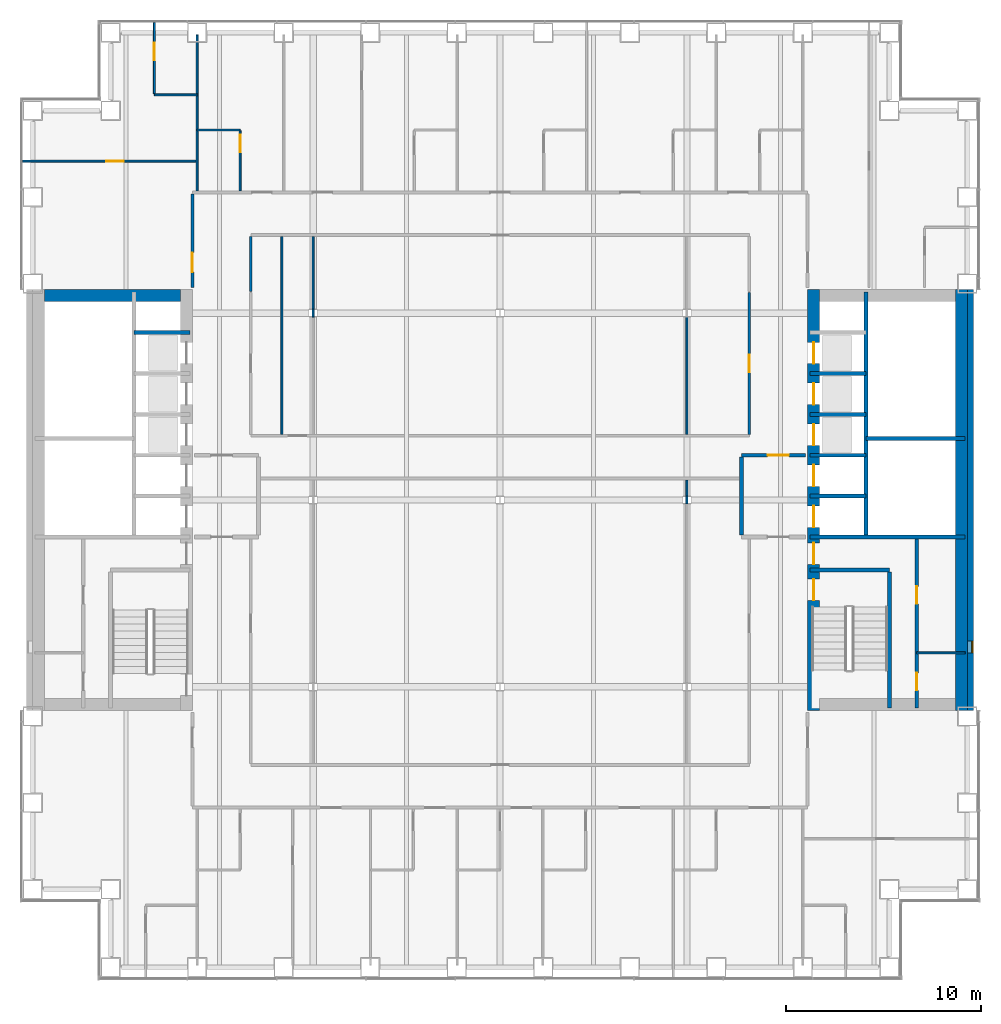
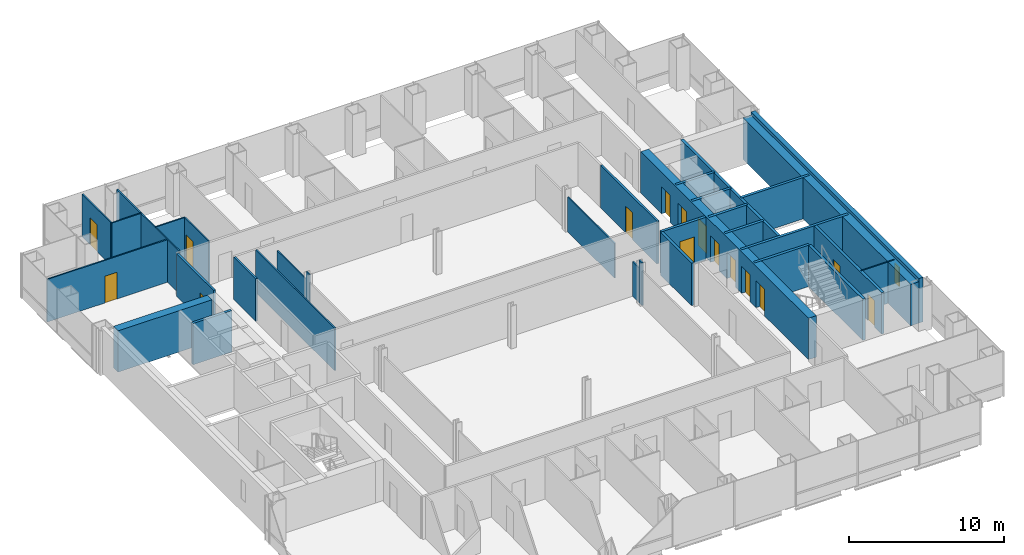
# One storey, part 18 of 21: 33 walls, 15 doors, 1 window, 16 openings.
"""IFC4 building model written with IfcOpenShell, lengths in metres."""

from ifc_helpers import new_model, si_unit, direction, frame, frame_2d, origin, place, context, subcontext, project, spatial, rectangle, extrude, material, layer, layer_set, type_object, element, fill, save


model = new_model("IFC4")

# Units and contexts
model_context = context("Model", 3, precision=1e-05, world=origin(), true_north=direction((0.0, 1.0)))
body_context = subcontext(model_context, "Body", "Model", "MODEL_VIEW")
ifc_project = project(units=[si_unit("LENGTHUNIT", "METRE"), si_unit("AREAUNIT", "SQUARE_METRE"), si_unit("VOLUMEUNIT", "CUBIC_METRE"), si_unit("PLANEANGLEUNIT", "RADIAN"), si_unit("MASSUNIT", "GRAM", prefix="KILO")], contexts=[model_context])

# Site, building, storey
site_placement = place(None, origin())
site = spatial("IfcSite", under=ifc_project, at=site_placement, CompositionType="ELEMENT")
building_placement = place(site_placement, origin())
building = spatial("IfcBuilding", under=site, at=building_placement, Name="Cobrizo Arcos Hotel Tower", CompositionType="ELEMENT")
storey_placement = place(building_placement, frame((0.0, 0.0, 42.5)))
storey = spatial("IfcBuildingStorey", under=building, at=storey_placement, Name="L08", CompositionType="ELEMENT", Elevation=42.5)

# Wall, opening, door
ifc_material_1 = material(Name="Gypsum board partition")
ifc_layer_1 = layer(ifc_material_1, 0.14990234375)
ifc_layer_set_1 = layer_set([ifc_layer_1], Name="Corridor wall EI 60 150")
wall_type_1 = type_object("IfcWallType", Name="Corridor wall EI 60 150", PredefinedType="PARTITIONING", material=ifc_layer_set_1)
wall_1_placement = place(storey_placement, frame((-15.800048828125, 10.919921875, 0.0), z_axis=(0.0, 0.0, 1.0), x_axis=(0.0, 1.0, 0.0)))
wall_1 = element("IfcWall", 1, at=wall_1_placement, inside=storey, type_object=wall_type_1, Name="Partition 051", PredefinedType="PARTITIONING", context=body_context, shape_type="SweptSolid", body=[
    extrude(rectangle(XDim=4.80517578125, YDim=0.14990234375, at=frame_2d((2.402587890625, 0.0))), origin(), (0.0, 0.0, 1.0), 3.35009765625),
])
opening_1_placement = place(wall_1_placement, frame((0.780029296875, 0.0, 0.0)))
opening_1 = element("IfcOpeningElement", 2, at=opening_1_placement, cuts=wall_1, Name="Opening GD-12", PredefinedType="OPENING", context=body_context, shape_type="SweptSolid", body=[
    extrude(rectangle(XDim=1.0, YDim=2.10009765625, at=frame_2d((0.5, 1.050048828125))), frame((0.0, 0.0869140625, 0.0), z_axis=(0.0, -1.0, 0.0), x_axis=(1.0, 0.0, 0.0)), (0.0, 0.0, 1.0), 0.173828125),
])
ifc_material_2 = material(Name="Timber door leaf", Category="wood")
door_type_1 = type_object("IfcDoorType", Name="Guest room door FD30S 1000x2100", OperationType="SINGLE_SWING_LEFT", PredefinedType="DOOR", material=ifc_material_2)
door_1_placement = place(opening_1_placement, origin())
door_1 = element("IfcDoor", 3, at=door_1_placement, inside=storey, type_object=door_type_1, Name="Door GD-12", OperationType="SINGLE_SWING_RIGHT", OverallHeight=2.10009765625, OverallWidth=1.0, PredefinedType="DOOR", context=body_context, shape_type="SweptSolid", body=[
    extrude(rectangle(XDim=1.0, YDim=2.10009765625, at=frame_2d((0.5, 1.050048828125))), frame((0.0, 0.02490234375, 0.0), z_axis=(0.0, -1.0, 0.0), x_axis=(1.0, 0.0, 0.0)), (0.0, 0.0, 1.0), 0.050048828125),
])
fill(opening_1, door_1)

# Wall
wall_2_placement = place(storey_placement, frame((-12.800048828125, 10.699951171875, 0.0), z_axis=(0.0, 0.0, 1.0), x_axis=(0.0, 1.0, 0.0)))
element("IfcWall", 4, at=wall_2_placement, inside=storey, type_object=wall_type_1, Name="Partition 058", PredefinedType="PARTITIONING", context=body_context, shape_type="SweptSolid", body=[
    extrude(rectangle(XDim=2.824951171875, YDim=0.14990234375, at=frame_2d((1.41259765625, 0.0))), origin(), (0.0, 0.0, 1.0), 3.35009765625),
])

# Wall, opening, door
wall_3_placement = place(storey_placement, frame((12.800048828125, 3.375, 0.0), z_axis=(0.0, 0.0, 1.0), x_axis=(0.0, 1.0, 0.0)))
wall_3 = element("IfcWall", 5, at=wall_3_placement, inside=storey, type_object=wall_type_1, Name="Partition 096", PredefinedType="PARTITIONING", context=body_context, shape_type="SweptSolid", body=[
    extrude(rectangle(XDim=7.27490234375, YDim=0.14990234375, at=frame_2d((3.637451171875, 0.0))), origin(), (0.0, 0.0, 1.0), 3.35009765625),
])
opening_2_placement = place(wall_3_placement, frame((3.175048828125, 0.0, 0.0)))
opening_2 = element("IfcOpeningElement", 6, at=opening_2_placement, cuts=wall_3, Name="Opening RD-09", PredefinedType="OPENING", context=body_context, shape_type="SweptSolid", body=[
    extrude(rectangle(XDim=0.89990234375, YDim=2.10009765625, at=frame_2d((0.449951171875, 1.050048828125))), frame((0.0, 0.0869140625, 0.0), z_axis=(0.0, -1.0, 0.0), x_axis=(1.0, 0.0, 0.0)), (0.0, 0.0, 1.0), 0.173828125),
])
door_type_2 = type_object("IfcDoorType", Name="Room door FD30 900x2100", OperationType="SINGLE_SWING_LEFT", PredefinedType="DOOR", material=ifc_material_2)
door_2_placement = place(opening_2_placement, origin())
door_2 = element("IfcDoor", 7, at=door_2_placement, inside=storey, type_object=door_type_2, Name="Door RD-09", OperationType="SINGLE_SWING_LEFT", OverallHeight=2.10009765625, OverallWidth=0.89990234375, PredefinedType="DOOR", context=body_context, shape_type="SweptSolid", body=[
    extrude(rectangle(XDim=0.89990234375, YDim=2.10009765625, at=frame_2d((0.449951171875, 1.050048828125))), frame((0.0, 0.02490234375, 0.0), z_axis=(0.0, -1.0, 0.0), x_axis=(1.0, 0.0, 0.0)), (0.0, 0.0, 1.0), 0.050048828125),
])
fill(opening_2, door_2)

# Wall, opening, window
ifc_material_3 = material(Name="Aluminium composite panel pale metal", Category="aluminium")
ifc_layer_2 = layer(ifc_material_3, 0.324951171875)
ifc_layer_set_2 = layer_set([ifc_layer_2], Name="EW-1 insulated panel wall 325")
wall_type_2 = type_object("IfcWallType", Name="EW-1 insulated panel wall 325", PredefinedType="SOLIDWALL", material=ifc_layer_set_2)
wall_4_placement = place(storey_placement, frame((24.16259765625, -10.800048828125, 0.0), z_axis=(0.0, 0.0, 1.0), x_axis=(0.0, 1.0, 0.0)))
wall_4 = element("IfcWall", 8, at=wall_4_placement, inside=storey, type_object=wall_type_2, Name="Core face wall L08 E", PredefinedType="SOLIDWALL", context=body_context, shape_type="SweptSolid", body=[
    extrude(rectangle(XDim=21.60009765625, YDim=0.324951171875, at=frame_2d((10.800048828125, 0.0))), origin(), (0.0, 0.0, 1.0), 3.5),
])
opening_3_placement = place(wall_4_placement, frame((2.949951171875, 0.0, 1.0)))
opening_3 = element("IfcOpeningElement", 9, at=opening_3_placement, cuts=wall_4, Name="Opening W-11", PredefinedType="OPENING", context=body_context, shape_type="SweptSolid", body=[
    extrude(rectangle(XDim=0.60009765625, YDim=1.5, at=frame_2d((0.300048828125, 0.75))), frame((0.0, 0.174560546875, 0.0), z_axis=(0.0, -1.0, 0.0), x_axis=(1.0, 0.0, 0.0)), (0.0, 0.0, 1.0), 0.348876953125),
])
ifc_material_4 = material(Name="Aluminium 6063-T6 and clear laminated glass", Category="aluminium")
window_type = type_object("IfcWindowType", Name="W-C1 core stair slot window 600x1500", PartitioningType="SINGLE_PANEL", PredefinedType="WINDOW", material=ifc_material_4)
window_placement = place(opening_3_placement, origin())
window = element("IfcWindow", 10, at=window_placement, inside=storey, type_object=window_type, Name="Core face wall L08 E window W-11", OverallHeight=1.5, OverallWidth=0.60009765625, PartitioningType="SINGLE_PANEL", PredefinedType="WINDOW", context=body_context, shape_type="SweptSolid", body=[
    extrude(rectangle(XDim=0.60009765625, YDim=1.5, at=frame_2d((0.300048828125, 0.75))), frame((0.0, -0.072509765625, 0.0), z_axis=(0.0, -1.0, 0.0), x_axis=(1.0, 0.0, 0.0)), (0.0, 0.0, 1.0), 0.06005859375),
])
fill(opening_3, window)

# Wall
ifc_layer_3 = layer(ifc_material_1, 0.10009765625)
ifc_layer_set_3 = layer_set([ifc_layer_3], Name="Partition EI 30 100")
wall_type_3 = type_object("IfcWallType", Name="Partition EI 30 100", PredefinedType="PARTITIONING", material=ifc_layer_set_3)
wall_5_placement = place(storey_placement, frame((21.39990234375, -7.85009765625, 0.0), z_axis=(0.0, 0.0, 1.0), x_axis=(1.0, 0.0, 0.0)))
element("IfcWall", 11, at=wall_5_placement, inside=storey, type_object=wall_type_3, Name="Partition 012", PredefinedType="PARTITIONING", context=body_context, shape_type="SweptSolid", body=[
    extrude(rectangle(XDim=2.47998046875, YDim=0.10009765625, at=frame_2d((1.239990234375, 0.0))), origin(), (0.0, 0.0, 1.0), 3.25),
])

# Wall, opening, door
wall_6_placement = place(storey_placement, frame((-24.530029296875, 17.39990234375, 0.0), z_axis=(0.0, 0.0, 1.0), x_axis=(1.0, 0.0, 0.0)))
wall_6 = element("IfcWall", 12, at=wall_6_placement, inside=storey, type_object=wall_type_3, Name="Partition 038", PredefinedType="PARTITIONING", context=body_context, shape_type="SweptSolid", body=[
    extrude(rectangle(XDim=8.97998046875, YDim=0.10009765625, at=frame_2d((4.489990234375, 0.0))), origin(), (0.0, 0.0, 1.0), 3.35009765625),
])
opening_4_placement = place(wall_6_placement, frame((4.302001953125, 0.0, 0.0)))
opening_4 = element("IfcOpeningElement", 13, at=opening_4_placement, cuts=wall_6, Name="Opening RD-06", PredefinedType="OPENING", context=body_context, shape_type="SweptSolid", body=[
    extrude(rectangle(XDim=0.89990234375, YDim=2.10009765625, at=frame_2d((0.449951171875, 1.050048828125))), frame((0.0, 0.06201171875, 0.0), z_axis=(0.0, -1.0, 0.0), x_axis=(1.0, 0.0, 0.0)), (0.0, 0.0, 1.0), 0.1240234375),
])
door_3_placement = place(opening_4_placement, origin())
door_3 = element("IfcDoor", 14, at=door_3_placement, inside=storey, type_object=door_type_2, Name="Door RD-06", OperationType="SINGLE_SWING_LEFT", OverallHeight=2.10009765625, OverallWidth=0.89990234375, PredefinedType="DOOR", context=body_context, shape_type="SweptSolid", body=[
    extrude(rectangle(XDim=0.89990234375, YDim=2.10009765625, at=frame_2d((0.449951171875, 1.050048828125))), frame((0.0, 0.02490234375, 0.0), z_axis=(0.0, -1.0, 0.0), x_axis=(1.0, 0.0, 0.0)), (0.0, 0.0, 1.0), 0.050048828125),
])
fill(opening_4, door_3)

# Walls
for number, where, z_axis, x_axis, name in (
    (15, (-15.550048828125, 19.0, 0.0), (0.0, 0.0, 1.0), (1.0, 0.0, 0.0), "Partition 039"),
    (16, (-17.75, 20.800048828125, 0.0), (0.0, 0.0, 1.0), (1.0, 0.0, 0.0), "Partition 044"),
):
    element("IfcWall", number, at=place(storey_placement, frame(where, z_axis=z_axis, x_axis=x_axis)), inside=storey, type_object=wall_type_3, Name=name, PredefinedType="PARTITIONING", context=body_context, shape_type="SweptSolid", body=[
        extrude(rectangle(XDim=2.199951171875, YDim=0.10009765625, at=frame_2d((1.10009765625, 0.0))), origin(), (0.0, 0.0, 1.0), 3.35009765625),
    ])

# Wall, opening, door
wall_7_placement = place(storey_placement, frame((-17.75, 20.85009765625, 0.0), z_axis=(0.0, 0.0, 1.0), x_axis=(0.0, 1.0, 0.0)))
wall_7 = element("IfcWall", 17, at=wall_7_placement, inside=storey, type_object=wall_type_3, Name="Partition 049", PredefinedType="PARTITIONING", context=body_context, shape_type="SweptSolid", body=[
    extrude(rectangle(XDim=3.679931640625, YDim=0.10009765625, at=frame_2d((1.83984375, 0.0))), origin(), (0.0, 0.0, 1.0), 3.35009765625),
])
opening_5_placement = place(wall_7_placement, frame((1.739990234375, 0.0, 0.0)))
opening_5 = element("IfcOpeningElement", 18, at=opening_5_placement, cuts=wall_7, Name="Opening ED-13", PredefinedType="OPENING", context=body_context, shape_type="SweptSolid", body=[
    extrude(rectangle(XDim=0.89990234375, YDim=2.10009765625, at=frame_2d((0.449951171875, 1.050048828125))), frame((0.0, 0.06201171875, 0.0), z_axis=(0.0, -1.0, 0.0), x_axis=(1.0, 0.0, 0.0)), (0.0, 0.0, 1.0), 0.1240234375),
])
door_type_3 = type_object("IfcDoorType", Name="En-suite door 900x2100", OperationType="SINGLE_SWING_LEFT", PredefinedType="DOOR", material=ifc_material_2)
door_4_placement = place(opening_5_placement, origin())
door_4 = element("IfcDoor", 19, at=door_4_placement, inside=storey, type_object=door_type_3, Name="Door ED-13", OperationType="SINGLE_SWING_LEFT", OverallHeight=2.10009765625, OverallWidth=0.89990234375, PredefinedType="DOOR", context=body_context, shape_type="SweptSolid", body=[
    extrude(rectangle(XDim=0.89990234375, YDim=2.10009765625, at=frame_2d((0.449951171875, 1.050048828125))), frame((0.0, 0.02490234375, 0.0), z_axis=(0.0, -1.0, 0.0), x_axis=(1.0, 0.0, 0.0)), (0.0, 0.0, 1.0), 0.050048828125),
])
fill(opening_5, door_4)

# Wall
wall_8_placement = place(storey_placement, frame((-15.550048828125, 15.875, 0.0), z_axis=(0.0, 0.0, 1.0), x_axis=(0.0, 1.0, 0.0)))
element("IfcWall", 20, at=wall_8_placement, inside=storey, type_object=wall_type_3, Name="Partition 053", PredefinedType="PARTITIONING", context=body_context, shape_type="SweptSolid", body=[
    extrude(rectangle(XDim=8.0048828125, YDim=0.10009765625, at=frame_2d((4.00244140625, 0.0))), origin(), (0.0, 0.0, 1.0), 3.35009765625),
])

# Wall, opening, door
wall_9_placement = place(storey_placement, frame((-13.35009765625, 15.875, 0.0), z_axis=(0.0, 0.0, 1.0), x_axis=(0.0, 1.0, 0.0)))
wall_9 = element("IfcWall", 21, at=wall_9_placement, inside=storey, type_object=wall_type_3, Name="Partition 055", PredefinedType="PARTITIONING", context=body_context, shape_type="SweptSolid", body=[
    extrude(rectangle(XDim=3.074951171875, YDim=0.10009765625, at=frame_2d((1.53759765625, 0.0))), origin(), (0.0, 0.0, 1.0), 3.35009765625),
])
opening_6_placement = place(wall_9_placement, frame((1.970947265625, 0.0, 0.0)))
opening_6 = element("IfcOpeningElement", 22, at=opening_6_placement, cuts=wall_9, Name="Opening ED-02", PredefinedType="OPENING", context=body_context, shape_type="SweptSolid", body=[
    extrude(rectangle(XDim=0.89990234375, YDim=2.10009765625, at=frame_2d((0.449951171875, 1.050048828125))), frame((0.0, 0.06201171875, 0.0), z_axis=(0.0, -1.0, 0.0), x_axis=(1.0, 0.0, 0.0)), (0.0, 0.0, 1.0), 0.1240234375),
])
door_5_placement = place(opening_6_placement, origin())
door_5 = element("IfcDoor", 23, at=door_5_placement, inside=storey, type_object=door_type_3, Name="Door ED-02", OperationType="SINGLE_SWING_LEFT", OverallHeight=2.10009765625, OverallWidth=0.89990234375, PredefinedType="DOOR", context=body_context, shape_type="SweptSolid", body=[
    extrude(rectangle(XDim=0.89990234375, YDim=2.10009765625, at=frame_2d((0.449951171875, 1.050048828125))), frame((0.0, 0.02490234375, 0.0), z_axis=(0.0, -1.0, 0.0), x_axis=(1.0, 0.0, 0.0)), (0.0, 0.0, 1.0), 0.050048828125),
])
fill(opening_6, door_5)

# Walls
wall_10_placement = place(storey_placement, frame((-11.199951171875, 3.375, 0.0), z_axis=(0.0, 0.0, 1.0), x_axis=(0.0, 1.0, 0.0)))
element("IfcWall", 24, at=wall_10_placement, inside=storey, type_object=wall_type_3, Name="Partition 060", PredefinedType="PARTITIONING", context=body_context, shape_type="SweptSolid", body=[
    extrude(rectangle(XDim=10.14990234375, YDim=0.10009765625, at=frame_2d((5.074951171875, 0.0))), origin(), (0.0, 0.0, 1.0), 3.35009765625),
])
wall_11_placement = place(storey_placement, frame((-9.60009765625, 9.39599609375, 0.0), z_axis=(0.0, 0.0, 1.0), x_axis=(0.0, 1.0, 0.0)))
element("IfcWall", 25, at=wall_11_placement, inside=storey, type_object=wall_type_3, Name="Partition 069", PredefinedType="PARTITIONING", context=body_context, shape_type="SweptSolid", body=[
    extrude(rectangle(XDim=0.407958984375, YDim=0.10009765625, at=frame_2d((0.2041015625, 0.0))), origin(), (0.0, 0.0, 1.0), 3.35009765625),
])
wall_12_placement = place(storey_placement, frame((-9.60009765625, 9.803955078125, 0.0), z_axis=(0.0, 0.0, 1.0), x_axis=(0.0, 1.0, 0.0)))
element("IfcWall", 26, at=wall_12_placement, inside=storey, type_object=wall_type_3, Name="Partition 070", PredefinedType="PARTITIONING", context=body_context, shape_type="SweptSolid", body=[
    extrude(rectangle(XDim=3.720947265625, YDim=0.10009765625, at=frame_2d((1.8603515625, 0.0))), origin(), (0.0, 0.0, 1.0), 2.72802734375),
])
wall_13_placement = place(storey_placement, frame((9.60009765625, -0.2041015625, 0.0), z_axis=(0.0, 0.0, 1.0), x_axis=(0.0, 1.0, 0.0)))
element("IfcWall", 27, at=wall_13_placement, inside=storey, type_object=wall_type_3, Name="Partition 087", PredefinedType="PARTITIONING", context=body_context, shape_type="SweptSolid", body=[
    extrude(rectangle(XDim=0.408203125, YDim=0.10009765625, at=frame_2d((0.2041015625, 0.0))), origin(), (0.0, 0.0, 1.0), 3.35009765625),
])
wall_14_placement = place(storey_placement, frame((9.60009765625, 0.2041015625, 0.0), z_axis=(0.0, 0.0, 1.0), x_axis=(0.0, 1.0, 0.0)))
element("IfcWall", 28, at=wall_14_placement, inside=storey, type_object=wall_type_3, Name="Partition 088", PredefinedType="PARTITIONING", context=body_context, shape_type="SweptSolid", body=[
    extrude(rectangle(XDim=0.82080078125, YDim=0.10009765625, at=frame_2d((0.410400390625, 0.0))), origin(), (0.0, 0.0, 1.0), 2.72802734375),
])
wall_15_placement = place(storey_placement, frame((9.60009765625, 3.375, 0.0), z_axis=(0.0, 0.0, 1.0), x_axis=(0.0, 1.0, 0.0)))
element("IfcWall", 29, at=wall_15_placement, inside=storey, type_object=wall_type_3, Name="Partition 089", PredefinedType="PARTITIONING", context=body_context, shape_type="SweptSolid", body=[
    extrude(rectangle(XDim=6.02099609375, YDim=0.10009765625, at=frame_2d((3.010498046875, 0.0))), origin(), (0.0, 0.0, 1.0), 2.72802734375),
])

# Wall, openings, doors
ifc_material_5 = material(Name="Concrete f'c 60 MPa", Category="concrete")
ifc_layer_4 = layer(ifc_material_5, 0.60009765625)
ifc_layer_set_4 = layer_set([ifc_layer_4], Name="RC core wall 600 f'c 60")
wall_type_4 = type_object("IfcWallType", Name="RC core wall 600 f'c 60", PredefinedType="SHEAR", material=ifc_layer_set_4)
wall_16_placement = place(storey_placement, frame((16.10009765625, -10.800048828125, 0.0), z_axis=(0.0, 0.0, 1.0), x_axis=(0.0, 1.0, 0.0)))
wall_16 = element("IfcWall", 30, at=wall_16_placement, inside=storey, type_object=wall_type_4, Name="Core wall CW1, east core, inner face, L08", PredefinedType="SHEAR", context=body_context, shape_type="SweptSolid", body=[
    extrude(rectangle(XDim=21.60009765625, YDim=0.60009765625, at=frame_2d((10.800048828125, 0.0))), origin(), (0.0, 0.0, 1.0), 3.25),
])
opening_7_placement = place(wall_16_placement, frame((9.39990234375, 0.0, 0.0)))
opening_7 = element("IfcOpeningElement", 31, at=opening_7_placement, cuts=wall_16, Name="Opening LD-06", PredefinedType="OPENING", context=body_context, shape_type="SweptSolid", body=[
    extrude(rectangle(XDim=1.10009765625, YDim=2.10009765625, at=frame_2d((0.550048828125, 1.050048828125))), frame((0.0, 0.31201171875, 0.0), z_axis=(0.0, -1.0, 0.0), x_axis=(1.0, 0.0, 0.0)), (0.0, 0.0, 1.0), 0.6240234375),
])
opening_8_placement = place(wall_16_placement, frame((11.5, 0.0, 0.0)))
opening_8 = element("IfcOpeningElement", 32, at=opening_8_placement, cuts=wall_16, Name="Opening LD-07", PredefinedType="OPENING", context=body_context, shape_type="SweptSolid", body=[
    extrude(rectangle(XDim=1.10009765625, YDim=2.10009765625, at=frame_2d((0.550048828125, 1.050048828125))), frame((0.0, 0.31201171875, 0.0), z_axis=(0.0, -1.0, 0.0), x_axis=(1.0, 0.0, 0.0)), (0.0, 0.0, 1.0), 0.6240234375),
])
opening_9_placement = place(wall_16_placement, frame((13.60009765625, 0.0, 0.0)))
opening_9 = element("IfcOpeningElement", 33, at=opening_9_placement, cuts=wall_16, Name="Opening LD-08", PredefinedType="OPENING", context=body_context, shape_type="SweptSolid", body=[
    extrude(rectangle(XDim=1.10009765625, YDim=2.10009765625, at=frame_2d((0.550048828125, 1.050048828125))), frame((0.0, 0.31201171875, 0.0), z_axis=(0.0, -1.0, 0.0), x_axis=(1.0, 0.0, 0.0)), (0.0, 0.0, 1.0), 0.6240234375),
])
opening_10_placement = place(wall_16_placement, frame((15.699951171875, 0.0, 0.0)))
opening_10 = element("IfcOpeningElement", 34, at=opening_10_placement, cuts=wall_16, Name="Opening LD-09", PredefinedType="OPENING", context=body_context, shape_type="SweptSolid", body=[
    extrude(rectangle(XDim=1.10009765625, YDim=2.10009765625, at=frame_2d((0.550048828125, 1.050048828125))), frame((0.0, 0.31201171875, 0.0), z_axis=(0.0, -1.0, 0.0), x_axis=(1.0, 0.0, 0.0)), (0.0, 0.0, 1.0), 0.6240234375),
])
opening_11_placement = place(wall_16_placement, frame((17.800048828125, 0.0, 0.0)))
opening_11 = element("IfcOpeningElement", 35, at=opening_11_placement, cuts=wall_16, Name="Opening LD-10", PredefinedType="OPENING", context=body_context, shape_type="SweptSolid", body=[
    extrude(rectangle(XDim=1.10009765625, YDim=2.10009765625, at=frame_2d((0.550048828125, 1.050048828125))), frame((0.0, 0.31201171875, 0.0), z_axis=(0.0, -1.0, 0.0), x_axis=(1.0, 0.0, 0.0)), (0.0, 0.0, 1.0), 0.6240234375),
])
opening_12_placement = place(wall_16_placement, frame((5.64208984375, 0.0, 0.0)))
opening_12 = element("IfcOpeningElement", 36, at=opening_12_placement, cuts=wall_16, Name="Opening SD-02", PredefinedType="OPENING", context=body_context, shape_type="SweptSolid", body=[
    extrude(rectangle(XDim=1.10009765625, YDim=2.10009765625, at=frame_2d((0.550048828125, 1.050048828125))), frame((0.0, 0.31201171875, 0.0), z_axis=(0.0, -1.0, 0.0), x_axis=(1.0, 0.0, 0.0)), (0.0, 0.0, 1.0), 0.6240234375),
])
opening_13_placement = place(wall_16_placement, frame((7.5, 0.0, 0.0)))
opening_13 = element("IfcOpeningElement", 37, at=opening_13_placement, cuts=wall_16, Name="Opening FD-04", PredefinedType="OPENING", context=body_context, shape_type="SweptSolid", body=[
    extrude(rectangle(XDim=1.10009765625, YDim=2.10009765625, at=frame_2d((0.550048828125, 1.050048828125))), frame((0.0, 0.31201171875, 0.0), z_axis=(0.0, -1.0, 0.0), x_axis=(1.0, 0.0, 0.0)), (0.0, 0.0, 1.0), 0.6240234375),
])
ifc_material_6 = material(Name="Steel door leaf", Category="steel")
door_type_4 = type_object("IfcDoorType", Name="Fire door FD60 1100x2100", OperationType="SINGLE_SWING_LEFT", PredefinedType="DOOR", material=ifc_material_6)
door_6_placement = place(opening_13_placement, origin())
door_6 = element("IfcDoor", 38, at=door_6_placement, inside=storey, type_object=door_type_4, Name="Door FD-04", OperationType="SINGLE_SWING_RIGHT", OverallHeight=2.10009765625, OverallWidth=1.10009765625, PredefinedType="DOOR", context=body_context, shape_type="SweptSolid", body=[
    extrude(rectangle(XDim=1.10009765625, YDim=2.10009765625, at=frame_2d((0.550048828125, 1.050048828125))), frame((0.0, 0.02490234375, 0.0), z_axis=(0.0, -1.0, 0.0), x_axis=(1.0, 0.0, 0.0)), (0.0, 0.0, 1.0), 0.050048828125),
])
fill(opening_13, door_6)
door_type_5 = type_object("IfcDoorType", Name="Lift landing door 1100x2100", OperationType="SLIDING_TO_LEFT", PredefinedType="DOOR", material=ifc_material_6)
door_7_placement = place(opening_7_placement, origin())
door_7 = element("IfcDoor", 39, at=door_7_placement, inside=storey, type_object=door_type_5, Name="Lift landing door LD-06", OperationType="SLIDING_TO_LEFT", OverallHeight=2.10009765625, OverallWidth=1.10009765625, PredefinedType="DOOR", context=body_context, shape_type="SweptSolid", body=[
    extrude(rectangle(XDim=1.10009765625, YDim=2.10009765625, at=frame_2d((0.550048828125, 1.050048828125))), frame((0.0, 0.02490234375, 0.0), z_axis=(0.0, -1.0, 0.0), x_axis=(1.0, 0.0, 0.0)), (0.0, 0.0, 1.0), 0.050048828125),
])
fill(opening_7, door_7)
door_8_placement = place(opening_8_placement, origin())
door_8 = element("IfcDoor", 40, at=door_8_placement, inside=storey, type_object=door_type_5, Name="Lift landing door LD-07", OperationType="SLIDING_TO_LEFT", OverallHeight=2.10009765625, OverallWidth=1.10009765625, PredefinedType="DOOR", context=body_context, shape_type="SweptSolid", body=[
    extrude(rectangle(XDim=1.10009765625, YDim=2.10009765625, at=frame_2d((0.550048828125, 1.050048828125))), frame((0.0, 0.02490234375, 0.0), z_axis=(0.0, -1.0, 0.0), x_axis=(1.0, 0.0, 0.0)), (0.0, 0.0, 1.0), 0.050048828125),
])
fill(opening_8, door_8)
door_9_placement = place(opening_9_placement, origin())
door_9 = element("IfcDoor", 41, at=door_9_placement, inside=storey, type_object=door_type_5, Name="Lift landing door LD-08", OperationType="SLIDING_TO_LEFT", OverallHeight=2.10009765625, OverallWidth=1.10009765625, PredefinedType="DOOR", context=body_context, shape_type="SweptSolid", body=[
    extrude(rectangle(XDim=1.10009765625, YDim=2.10009765625, at=frame_2d((0.550048828125, 1.050048828125))), frame((0.0, 0.02490234375, 0.0), z_axis=(0.0, -1.0, 0.0), x_axis=(1.0, 0.0, 0.0)), (0.0, 0.0, 1.0), 0.050048828125),
])
fill(opening_9, door_9)
door_10_placement = place(opening_10_placement, origin())
door_10 = element("IfcDoor", 42, at=door_10_placement, inside=storey, type_object=door_type_5, Name="Lift landing door LD-09", OperationType="SLIDING_TO_LEFT", OverallHeight=2.10009765625, OverallWidth=1.10009765625, PredefinedType="DOOR", context=body_context, shape_type="SweptSolid", body=[
    extrude(rectangle(XDim=1.10009765625, YDim=2.10009765625, at=frame_2d((0.550048828125, 1.050048828125))), frame((0.0, 0.02490234375, 0.0), z_axis=(0.0, -1.0, 0.0), x_axis=(1.0, 0.0, 0.0)), (0.0, 0.0, 1.0), 0.050048828125),
])
fill(opening_10, door_10)
door_11_placement = place(opening_11_placement, origin())
door_11 = element("IfcDoor", 43, at=door_11_placement, inside=storey, type_object=door_type_5, Name="Lift landing door LD-10", OperationType="SLIDING_TO_LEFT", OverallHeight=2.10009765625, OverallWidth=1.10009765625, PredefinedType="DOOR", context=body_context, shape_type="SweptSolid", body=[
    extrude(rectangle(XDim=1.10009765625, YDim=2.10009765625, at=frame_2d((0.550048828125, 1.050048828125))), frame((0.0, 0.02490234375, 0.0), z_axis=(0.0, -1.0, 0.0), x_axis=(1.0, 0.0, 0.0)), (0.0, 0.0, 1.0), 0.050048828125),
])
fill(opening_11, door_11)
door_type_6 = type_object("IfcDoorType", Name="Stair door FD60S 1100x2100", OperationType="SINGLE_SWING_LEFT", PredefinedType="DOOR", material=ifc_material_6)
door_12_placement = place(opening_12_placement, origin())
door_12 = element("IfcDoor", 44, at=door_12_placement, inside=storey, type_object=door_type_6, Name="Door SD-02", OperationType="SINGLE_SWING_LEFT", OverallHeight=2.10009765625, OverallWidth=1.10009765625, PredefinedType="DOOR", context=body_context, shape_type="SweptSolid", body=[
    extrude(rectangle(XDim=1.10009765625, YDim=2.10009765625, at=frame_2d((0.550048828125, 1.050048828125))), frame((0.0, 0.02490234375, 0.0), z_axis=(0.0, -1.0, 0.0), x_axis=(1.0, 0.0, 0.0)), (0.0, 0.0, 1.0), 0.050048828125),
])
fill(opening_12, door_12)

# Walls
wall_17_placement = place(storey_placement, frame((23.699951171875, -10.800048828125, 0.0), z_axis=(0.0, 0.0, 1.0), x_axis=(0.0, 1.0, 0.0)))
element("IfcWall", 45, at=wall_17_placement, inside=storey, type_object=wall_type_4, Name="Core wall CW1, east core, outer face, L08", PredefinedType="SHEAR", context=body_context, shape_type="SweptSolid", body=[
    extrude(rectangle(XDim=21.60009765625, YDim=0.60009765625, at=frame_2d((10.800048828125, 0.0))), origin(), (0.0, 0.0, 1.0), 3.25),
])
wall_18_placement = place(storey_placement, frame((-23.39990234375, 10.5, 0.0), z_axis=(0.0, 0.0, 1.0), x_axis=(1.0, 0.0, 0.0)))
element("IfcWall", 46, at=wall_18_placement, inside=storey, type_object=wall_type_4, Name="Core wall CW1, west core, north end, L08", PredefinedType="SHEAR", context=body_context, shape_type="SweptSolid", body=[
    extrude(rectangle(XDim=7.0, YDim=0.60009765625, at=frame_2d((3.5, 0.0))), origin(), (0.0, 0.0, 1.0), 3.25),
])
ifc_layer_5 = layer(ifc_material_1, 0.199951171875)
ifc_layer_set_5 = layer_set([ifc_layer_5], Name="Shaft wall EI 120 200")
wall_type_5 = type_object("IfcWallType", Name="Shaft wall EI 120 200", PredefinedType="PARTITIONING", material=ifc_layer_set_5)
wall_19_placement = place(storey_placement, frame((15.919921875, -1.89990234375, 0.0), z_axis=(0.0, 0.0, 1.0), x_axis=(1.0, 0.0, 0.0)))
element("IfcWall", 47, at=wall_19_placement, inside=storey, type_object=wall_type_5, Name="Partition 018", PredefinedType="PARTITIONING", context=body_context, shape_type="SweptSolid", body=[
    extrude(rectangle(XDim=7.9599609375, YDim=0.199951171875, at=frame_2d((3.97998046875, 0.0))), origin(), (0.0, 0.0, 1.0), 3.25),
])
wall_20_placement = place(storey_placement, frame((15.919921875, 0.199951171875, 0.0), z_axis=(0.0, 0.0, 1.0), x_axis=(1.0, 0.0, 0.0)))
element("IfcWall", 48, at=wall_20_placement, inside=storey, type_object=wall_type_5, Name="Partition 020", PredefinedType="PARTITIONING", context=body_context, shape_type="SweptSolid", body=[
    extrude(rectangle(XDim=2.880126953125, YDim=0.199951171875, at=frame_2d((1.43994140625, 0.0))), origin(), (0.0, 0.0, 1.0), 3.25),
])

# Wall, opening, door
wall_21_placement = place(storey_placement, frame((12.39990234375, 2.300048828125, 0.0), z_axis=(0.0, 0.0, 1.0), x_axis=(1.0, 0.0, 0.0)))
wall_21 = element("IfcWall", 49, at=wall_21_placement, inside=storey, type_object=wall_type_5, Name="Partition 024", PredefinedType="PARTITIONING", context=body_context, shape_type="SweptSolid", body=[
    extrude(rectangle(XDim=3.280029296875, YDim=0.199951171875, at=frame_2d((1.64013671875, 0.0))), origin(), (0.0, 0.0, 1.0), 3.35009765625),
])
opening_14_placement = place(wall_21_placement, frame((1.340087890625, 0.0, 0.0)))
opening_14 = element("IfcOpeningElement", 50, at=opening_14_placement, cuts=wall_21, Name="Opening FD-05", PredefinedType="OPENING", context=body_context, shape_type="SweptSolid", body=[
    extrude(rectangle(XDim=1.10009765625, YDim=2.10009765625, at=frame_2d((0.550048828125, 1.050048828125))), frame((0.0, 0.112060546875, 0.0), z_axis=(0.0, -1.0, 0.0), x_axis=(1.0, 0.0, 0.0)), (0.0, 0.0, 1.0), 0.223876953125),
])
door_13_placement = place(opening_14_placement, origin())
door_13 = element("IfcDoor", 51, at=door_13_placement, inside=storey, type_object=door_type_4, Name="Door FD-05", OperationType="SINGLE_SWING_LEFT", OverallHeight=2.10009765625, OverallWidth=1.10009765625, PredefinedType="DOOR", context=body_context, shape_type="SweptSolid", body=[
    extrude(rectangle(XDim=1.10009765625, YDim=2.10009765625, at=frame_2d((0.550048828125, 1.050048828125))), frame((0.0, 0.02490234375, 0.0), z_axis=(0.0, -1.0, 0.0), x_axis=(1.0, 0.0, 0.0)), (0.0, 0.0, 1.0), 0.050048828125),
])
fill(opening_14, door_13)

# Walls
wall_22_placement = place(storey_placement, frame((15.919921875, 2.300048828125, 0.0), z_axis=(0.0, 0.0, 1.0), x_axis=(1.0, 0.0, 0.0)))
element("IfcWall", 52, at=wall_22_placement, inside=storey, type_object=wall_type_5, Name="Partition 025", PredefinedType="PARTITIONING", context=body_context, shape_type="SweptSolid", body=[
    extrude(rectangle(XDim=2.880126953125, YDim=0.199951171875, at=frame_2d((1.43994140625, 0.0))), origin(), (0.0, 0.0, 1.0), 3.25),
])
wall_23_placement = place(storey_placement, frame((18.800048828125, 3.14990234375, 0.0), z_axis=(0.0, 0.0, 1.0), x_axis=(1.0, 0.0, 0.0)))
element("IfcWall", 53, at=wall_23_placement, inside=storey, type_object=wall_type_5, Name="Partition 027", PredefinedType="PARTITIONING", context=body_context, shape_type="SweptSolid", body=[
    extrude(rectangle(XDim=5.079833984375, YDim=0.199951171875, at=frame_2d((2.5400390625, 0.0))), origin(), (0.0, 0.0, 1.0), 3.25),
])
for number, where, z_axis, x_axis, name in (
    (54, (15.919921875, 4.39990234375, 0.0), (0.0, 0.0, 1.0), (1.0, 0.0, 0.0), "Partition 030"),
    (55, (15.919921875, 6.5, 0.0), (0.0, 0.0, 1.0), (1.0, 0.0, 0.0), "Partition 032"),
    (56, (-18.800048828125, 8.60009765625, 0.0), (0.0, 0.0, 1.0), (1.0, 0.0, 0.0), "Partition 033"),
):
    element("IfcWall", number, at=place(storey_placement, frame(where, z_axis=z_axis, x_axis=x_axis)), inside=storey, type_object=wall_type_5, Name=name, PredefinedType="PARTITIONING", context=body_context, shape_type="SweptSolid", body=[
        extrude(rectangle(XDim=2.880126953125, YDim=0.199951171875, at=frame_2d((1.43994140625, 0.0))), origin(), (0.0, 0.0, 1.0), 3.25),
    ])
wall_24_placement = place(storey_placement, frame((12.39990234375, -1.800048828125, 0.0), z_axis=(0.0, 0.0, 1.0), x_axis=(0.0, 1.0, 0.0)))
element("IfcWall", 57, at=wall_24_placement, inside=storey, type_object=wall_type_5, Name="Partition 094", PredefinedType="PARTITIONING", context=body_context, shape_type="SweptSolid", body=[
    extrude(rectangle(XDim=4.0, YDim=0.199951171875, at=frame_2d((2.0, 0.0))), origin(), (0.0, 0.0, 1.0), 3.35009765625),
])
wall_25_placement = place(storey_placement, frame((18.800048828125, -1.800048828125, 0.0), z_axis=(0.0, 0.0, 1.0), x_axis=(0.0, 1.0, 0.0)))
element("IfcWall", 58, at=wall_25_placement, inside=storey, type_object=wall_type_5, Name="Partition 104", PredefinedType="PARTITIONING", context=body_context, shape_type="SweptSolid", body=[
    extrude(rectangle(XDim=12.47998046875, YDim=0.199951171875, at=frame_2d((6.239990234375, 0.0))), origin(), (0.0, 0.0, 1.0), 3.25),
])

# Wall, openings, doors
wall_26_placement = place(storey_placement, frame((21.39990234375, -10.679931640625, 0.0), z_axis=(0.0, 0.0, 1.0), x_axis=(0.0, 1.0, 0.0)))
wall_26 = element("IfcWall", 59, at=wall_26_placement, inside=storey, type_object=wall_type_5, Name="Partition 107", PredefinedType="PARTITIONING", context=body_context, shape_type="SweptSolid", body=[
    extrude(rectangle(XDim=8.679931640625, YDim=0.199951171875, at=frame_2d((4.33984375, 0.0))), origin(), (0.0, 0.0, 1.0), 3.25),
])
opening_15_placement = place(wall_26_placement, frame((0.89892578125, 0.0, 0.0)))
opening_15 = element("IfcOpeningElement", 60, at=opening_15_placement, cuts=wall_26, Name="Opening RD-02", PredefinedType="OPENING", context=body_context, shape_type="SweptSolid", body=[
    extrude(rectangle(XDim=0.89990234375, YDim=2.10009765625, at=frame_2d((0.449951171875, 1.050048828125))), frame((0.0, 0.112060546875, 0.0), z_axis=(0.0, -1.0, 0.0), x_axis=(1.0, 0.0, 0.0)), (0.0, 0.0, 1.0), 0.223876953125),
])
opening_16_placement = place(wall_26_placement, frame((5.34912109375, 0.0, 0.0)))
opening_16 = element("IfcOpeningElement", 61, at=opening_16_placement, cuts=wall_26, Name="Opening RD-03", PredefinedType="OPENING", context=body_context, shape_type="SweptSolid", body=[
    extrude(rectangle(XDim=0.89990234375, YDim=2.10009765625, at=frame_2d((0.449951171875, 1.050048828125))), frame((0.0, 0.112060546875, 0.0), z_axis=(0.0, -1.0, 0.0), x_axis=(1.0, 0.0, 0.0)), (0.0, 0.0, 1.0), 0.223876953125),
])
door_14_placement = place(opening_15_placement, origin())
door_14 = element("IfcDoor", 62, at=door_14_placement, inside=storey, type_object=door_type_2, Name="Door RD-02", OperationType="SINGLE_SWING_LEFT", OverallHeight=2.10009765625, OverallWidth=0.89990234375, PredefinedType="DOOR", context=body_context, shape_type="SweptSolid", body=[
    extrude(rectangle(XDim=0.89990234375, YDim=2.10009765625, at=frame_2d((0.449951171875, 1.050048828125))), frame((0.0, 0.02490234375, 0.0), z_axis=(0.0, -1.0, 0.0), x_axis=(1.0, 0.0, 0.0)), (0.0, 0.0, 1.0), 0.050048828125),
])
fill(opening_15, door_14)
door_15_placement = place(opening_16_placement, origin())
door_15 = element("IfcDoor", 63, at=door_15_placement, inside=storey, type_object=door_type_2, Name="Door RD-03", OperationType="SINGLE_SWING_RIGHT", OverallHeight=2.10009765625, OverallWidth=0.89990234375, PredefinedType="DOOR", context=body_context, shape_type="SweptSolid", body=[
    extrude(rectangle(XDim=0.89990234375, YDim=2.10009765625, at=frame_2d((0.449951171875, 1.050048828125))), frame((0.0, 0.02490234375, 0.0), z_axis=(0.0, -1.0, 0.0), x_axis=(1.0, 0.0, 0.0)), (0.0, 0.0, 1.0), 0.050048828125),
])
fill(opening_16, door_15)

# Walls
ifc_material_7 = material(Name="Concrete f'c 40 MPa", Category="concrete")
ifc_layer_6 = layer(ifc_material_7, 0.199951171875)
ifc_layer_set_6 = layer_set([ifc_layer_6], Name="Stair shaft wall 200")
wall_type_6 = type_object("IfcWallType", Name="Stair shaft wall 200", PredefinedType="SHEAR", material=ifc_layer_set_6)
wall_27_placement = place(storey_placement, frame((15.919921875, -3.60009765625, 0.0), z_axis=(0.0, 0.0, 1.0), x_axis=(1.0, 0.0, 0.0)))
element("IfcWall", 64, at=wall_27_placement, inside=storey, type_object=wall_type_6, Name="Stair shaft wall E", PredefinedType="SHEAR", context=body_context, shape_type="SweptSolid", body=[
    extrude(rectangle(XDim=4.080078125, YDim=0.199951171875, at=frame_2d((2.0400390625, 0.0))), origin(), (0.0, 0.0, 1.0), 3.25),
])
wall_28_placement = place(storey_placement, frame((20.0, -10.679931640625, 0.0), z_axis=(0.0, 0.0, 1.0), x_axis=(0.0, 1.0, 0.0)))
element("IfcWall", 65, at=wall_28_placement, inside=storey, type_object=wall_type_6, Name="Stair shaft wall E", PredefinedType="SHEAR", context=body_context, shape_type="SweptSolid", body=[
    extrude(rectangle(XDim=6.97998046875, YDim=0.199951171875, at=frame_2d((3.489990234375, 0.0))), origin(), (0.0, 0.0, 1.0), 3.25),
])

save(model, "model.ifc")
